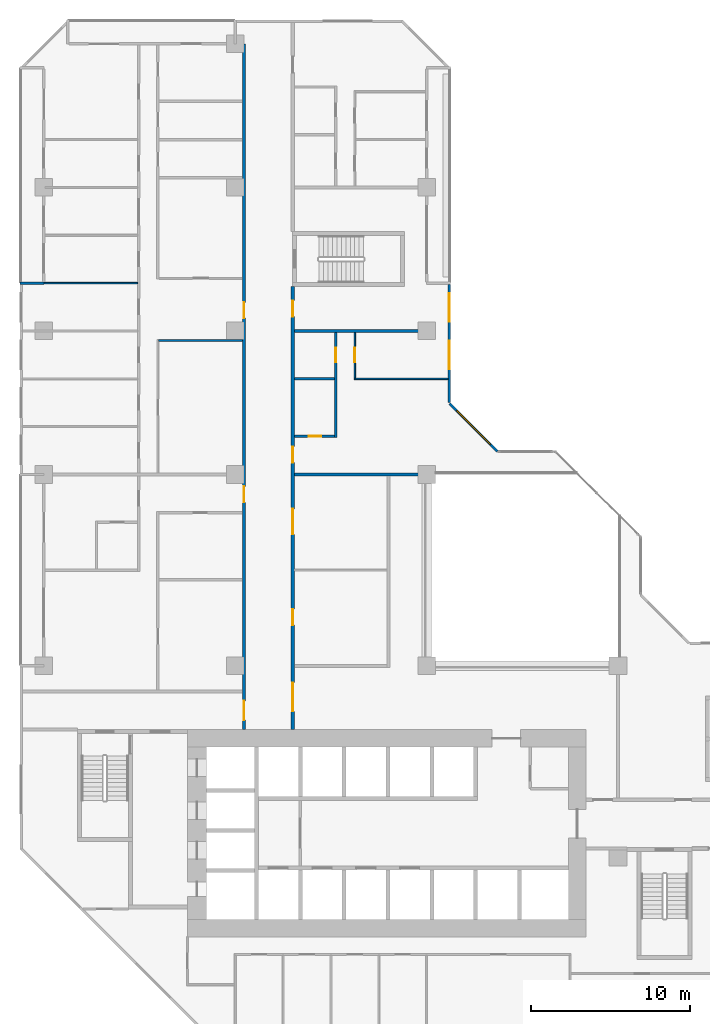
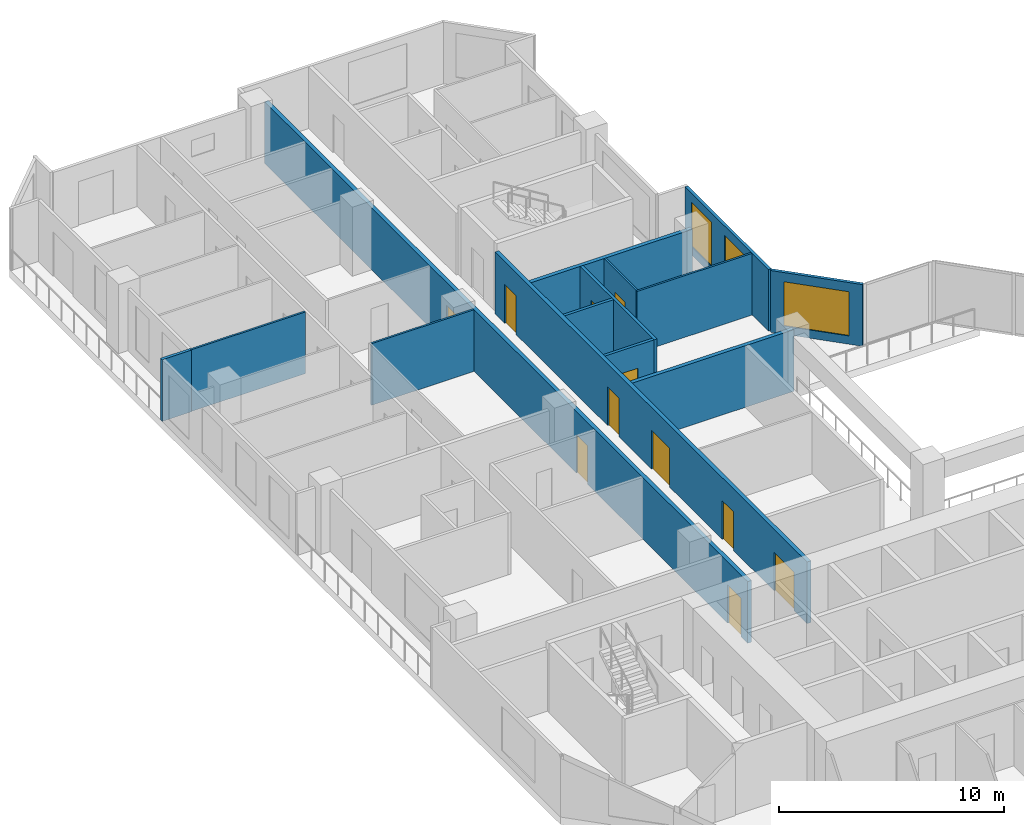
# One storey, part 9 of 15: 14 walls, 11 doors, 3 windows, 14 openings.
"""IFC4 building model written with IfcOpenShell, lengths in metres."""

from ifc_helpers import new_model, si_unit, direction, frame, frame_2d, origin, place, context, subcontext, project, spatial, rectangle, extrude, material, layer, layer_set, type_object, element, fill, save


model = new_model("IFC4")

# Units and contexts
model_context = context("Model", 3, precision=1e-05, world=origin(), true_north=direction((0.0, 1.0)))
body_context = subcontext(model_context, "Body", "Model", "MODEL_VIEW")
ifc_project = project(units=[si_unit("LENGTHUNIT", "METRE"), si_unit("AREAUNIT", "SQUARE_METRE"), si_unit("VOLUMEUNIT", "CUBIC_METRE"), si_unit("PLANEANGLEUNIT", "RADIAN"), si_unit("MASSUNIT", "GRAM", prefix="KILO")], contexts=[model_context])

# Site, building, storey
site_placement = place(None, origin())
site = spatial("IfcSite", under=ifc_project, at=site_placement, CompositionType="ELEMENT")
building_placement = place(site_placement, origin())
building = spatial("IfcBuilding", under=site, at=building_placement, Name="Chenar Terraces", CompositionType="ELEMENT")
storey_placement = place(building_placement, frame((0.0, 0.0, 67.64990234375)))
storey = spatial("IfcBuildingStorey", under=building, at=storey_placement, Name="L14", CompositionType="ELEMENT", Elevation=67.64990234375)

# Wall, openings, doors
ifc_material_1 = material(Name="Gypsum board on steel studs with fire boards", Category="steel")
ifc_layer_1 = layer(ifc_material_1, 0.199951171875)
ifc_layer_set_1 = layer_set([ifc_layer_1], Name="Gypsum board on steel studs with fire boards")
wall_type_1 = type_object("IfcWallType", Name="Corridor wall 200", PredefinedType="PARTITIONING", material=ifc_layer_set_1)
wall_1_placement = place(storey_placement, frame((12.550048828125, 20.0, 0.0), z_axis=(0.0, 0.0, 1.0), x_axis=(0.0, 1.0, 0.0)))
wall_1 = element("IfcWall", 1, at=wall_1_placement, inside=storey, type_object=wall_type_1, Name="Partition L14-031", PredefinedType="PARTITIONING", context=body_context, shape_type="SweptSolid", body=[
    extrude(rectangle(XDim=43.0, YDim=0.199951171875, at=frame_2d((21.5, 0.0))), origin(), (0.0, 0.0, 1.0), 3.35009765625),
])
opening_1_placement = place(wall_1_placement, frame((25.800048828125, 0.0, 0.0)))
opening_1 = element("IfcOpeningElement", 2, at=opening_1_placement, cuts=wall_1, Name="Opening DL14-36", PredefinedType="OPENING", context=body_context, shape_type="SweptSolid", body=[
    extrude(rectangle(XDim=1.0, YDim=2.10009765625, at=frame_2d((0.5, 1.050048828125))), frame((0.0, 0.10986328125, 0.0), z_axis=(0.0, -1.0, 0.0), x_axis=(1.0, 0.0, 0.0)), (0.0, 0.0, 1.0), 0.219970703125),
])
opening_2_placement = place(wall_1_placement, frame((0.60009765625, 0.0, 0.0)))
opening_2 = element("IfcOpeningElement", 3, at=opening_2_placement, cuts=wall_1, Name="Opening DL14-45", PredefinedType="OPENING", context=body_context, shape_type="SweptSolid", body=[
    extrude(rectangle(XDim=1.199951171875, YDim=2.10009765625, at=frame_2d((0.60009765625, 1.050048828125))), frame((0.0, 0.10986328125, 0.0), z_axis=(0.0, -1.0, 0.0), x_axis=(1.0, 0.0, 0.0)), (0.0, 0.0, 1.0), 0.219970703125),
])
opening_3_placement = place(wall_1_placement, frame((14.25, 0.0, 0.0)))
opening_3 = element("IfcOpeningElement", 4, at=opening_3_placement, cuts=wall_1, Name="Opening DL14-68", PredefinedType="OPENING", context=body_context, shape_type="SweptSolid", body=[
    extrude(rectangle(XDim=1.0, YDim=2.10009765625, at=frame_2d((0.5, 1.050048828125))), frame((0.0, 0.10986328125, 0.0), z_axis=(0.0, -1.0, 0.0), x_axis=(1.0, 0.0, 0.0)), (0.0, 0.0, 1.0), 0.219970703125),
])
ifc_material_2 = material(Name="Steel-framed fire-resisting door leaf", Category="steel")
door_type_1 = type_object("IfcDoorType", Name="Fire door FD30S 1000 x 2100", OperationType="SINGLE_SWING_LEFT", PredefinedType="DOOR", material=ifc_material_2)
door_1_placement = place(opening_1_placement, origin())
door_1 = element("IfcDoor", 5, at=door_1_placement, inside=storey, type_object=door_type_1, Name="Door DL14-36", OperationType="SINGLE_SWING_LEFT", OverallHeight=2.10009765625, OverallWidth=1.0, PredefinedType="DOOR", context=body_context, shape_type="SweptSolid", body=[
    extrude(rectangle(XDim=1.0, YDim=2.10009765625, at=frame_2d((0.5, 1.050048828125))), frame((0.0, 0.02490234375, 0.0), z_axis=(0.0, -1.0, 0.0), x_axis=(1.0, 0.0, 0.0)), (0.0, 0.0, 1.0), 0.050048828125),
])
fill(opening_1, door_1)
door_2_placement = place(opening_3_placement, origin())
door_2 = element("IfcDoor", 6, at=door_2_placement, inside=storey, type_object=door_type_1, Name="Door DL14-68", OperationType="SINGLE_SWING_RIGHT", OverallHeight=2.10009765625, OverallWidth=1.0, PredefinedType="DOOR", context=body_context, shape_type="SweptSolid", body=[
    extrude(rectangle(XDim=1.0, YDim=2.10009765625, at=frame_2d((0.5, 1.050048828125))), frame((0.0, 0.02490234375, 0.0), z_axis=(0.0, -1.0, 0.0), x_axis=(1.0, 0.0, 0.0)), (0.0, 0.0, 1.0), 0.050048828125),
])
fill(opening_3, door_2)
ifc_material_3 = material(Name="Steel-framed fire-resisting door leaf", Category="steel")
door_type_2 = type_object("IfcDoorType", Name="Fire door FD30S 1200 x 2100", OperationType="SINGLE_SWING_LEFT", PredefinedType="DOOR", material=ifc_material_3)
door_3_placement = place(opening_2_placement, origin())
door_3 = element("IfcDoor", 7, at=door_3_placement, inside=storey, type_object=door_type_2, Name="Door DL14-45", OperationType="SINGLE_SWING_RIGHT", OverallHeight=2.10009765625, OverallWidth=1.199951171875, PredefinedType="DOOR", context=body_context, shape_type="SweptSolid", body=[
    extrude(rectangle(XDim=1.199951171875, YDim=2.10009765625, at=frame_2d((0.60009765625, 1.050048828125))), frame((0.0, 0.02490234375, 0.0), z_axis=(0.0, -1.0, 0.0), x_axis=(1.0, 0.0, 0.0)), (0.0, 0.0, 1.0), 0.050048828125),
])
fill(opening_2, door_3)

wall_2_placement = place(storey_placement, frame((15.60009765625, 20.0, 0.0), z_axis=(0.0, 0.0, 1.0), x_axis=(0.0, 1.0, 0.0)))
wall_2 = element("IfcWall", 8, at=wall_2_placement, inside=storey, type_object=wall_type_1, Name="Partition L14-033", PredefinedType="PARTITIONING", context=body_context, shape_type="SweptSolid", body=[
    extrude(rectangle(XDim=27.77490234375, YDim=0.199951171875, at=frame_2d((13.887451171875, 0.0))), origin(), (0.0, 0.0, 1.0), 3.35009765625),
])
opening_4_placement = place(wall_2_placement, frame((6.550048828125, 0.0, 0.0)))
opening_4 = element("IfcOpeningElement", 9, at=opening_4_placement, cuts=wall_2, Name="Opening DL14-1", PredefinedType="OPENING", context=body_context, shape_type="SweptSolid", body=[
    extrude(rectangle(XDim=1.0, YDim=2.10009765625, at=frame_2d((0.5, 1.050048828125))), frame((0.0, 0.10986328125, 0.0), z_axis=(0.0, -1.0, 0.0), x_axis=(1.0, 0.0, 0.0)), (0.0, 0.0, 1.0), 0.219970703125),
])
opening_5_placement = place(wall_2_placement, frame((12.25, 0.0, 0.0)))
opening_5 = element("IfcOpeningElement", 10, at=opening_5_placement, cuts=wall_2, Name="Opening DL14-2", PredefinedType="OPENING", context=body_context, shape_type="SweptSolid", body=[
    extrude(rectangle(XDim=1.60009765625, YDim=2.10009765625, at=frame_2d((0.800048828125, 1.050048828125))), frame((0.0, 0.10986328125, 0.0), z_axis=(0.0, -1.0, 0.0), x_axis=(1.0, 0.0, 0.0)), (0.0, 0.0, 1.0), 0.219970703125),
])
opening_6_placement = place(wall_2_placement, frame((16.75, 0.0, 0.0)))
opening_6 = element("IfcOpeningElement", 11, at=opening_6_placement, cuts=wall_2, Name="Opening DL14-23", PredefinedType="OPENING", context=body_context, shape_type="SweptSolid", body=[
    extrude(rectangle(XDim=1.0, YDim=2.10009765625, at=frame_2d((0.5, 1.050048828125))), frame((0.0, 0.10986328125, 0.0), z_axis=(0.0, -1.0, 0.0), x_axis=(1.0, 0.0, 0.0)), (0.0, 0.0, 1.0), 0.219970703125),
])
opening_7_placement = place(wall_2_placement, frame((1.14990234375, 0.0, 0.0)))
opening_7 = element("IfcOpeningElement", 12, at=opening_7_placement, cuts=wall_2, Name="Opening DL14-44", PredefinedType="OPENING", context=body_context, shape_type="SweptSolid", body=[
    extrude(rectangle(XDim=1.800048828125, YDim=2.10009765625, at=frame_2d((0.89990234375, 1.050048828125))), frame((0.0, 0.10986328125, 0.0), z_axis=(0.0, -1.0, 0.0), x_axis=(1.0, 0.0, 0.0)), (0.0, 0.0, 1.0), 0.219970703125),
])
opening_8_placement = place(wall_2_placement, frame((25.89990234375, 0.0, 0.0)))
opening_8 = element("IfcOpeningElement", 13, at=opening_8_placement, cuts=wall_2, Name="Opening DL14-47", PredefinedType="OPENING", context=body_context, shape_type="SweptSolid", body=[
    extrude(rectangle(XDim=1.0, YDim=2.10009765625, at=frame_2d((0.5, 1.050048828125))), frame((0.0, 0.10986328125, 0.0), z_axis=(0.0, -1.0, 0.0), x_axis=(1.0, 0.0, 0.0)), (0.0, 0.0, 1.0), 0.219970703125),
])
ifc_material_4 = material(Name="Steel-framed fire-resisting door leaf", Category="steel")
door_type_3 = type_object("IfcDoorType", Name="Fire door FD60 1000 x 2100", OperationType="SINGLE_SWING_LEFT", PredefinedType="DOOR", material=ifc_material_4)
door_4_placement = place(opening_4_placement, frame((1.0, 0.0, 0.0), z_axis=(0.0, 0.0, 1.0), x_axis=(-1.0, 0.0, 0.0)))
door_4 = element("IfcDoor", 14, at=door_4_placement, inside=storey, type_object=door_type_3, Name="Door DL14-1", OperationType="SINGLE_SWING_LEFT", OverallHeight=2.10009765625, OverallWidth=1.0, PredefinedType="DOOR", context=body_context, shape_type="SweptSolid", body=[
    extrude(rectangle(XDim=1.0, YDim=2.10009765625, at=frame_2d((0.5, 1.050048828125))), frame((0.0, 0.02490234375, 0.0), z_axis=(0.0, -1.0, 0.0), x_axis=(1.0, 0.0, 0.0)), (0.0, 0.0, 1.0), 0.050048828125),
])
fill(opening_4, door_4)
door_5_placement = place(opening_6_placement, frame((1.0, 0.0, 0.0), z_axis=(0.0, 0.0, 1.0), x_axis=(-1.0, 0.0, 0.0)))
door_5 = element("IfcDoor", 15, at=door_5_placement, inside=storey, type_object=door_type_3, Name="Door DL14-23", OperationType="SINGLE_SWING_LEFT", OverallHeight=2.10009765625, OverallWidth=1.0, PredefinedType="DOOR", context=body_context, shape_type="SweptSolid", body=[
    extrude(rectangle(XDim=1.0, YDim=2.10009765625, at=frame_2d((0.5, 1.050048828125))), frame((0.0, 0.02490234375, 0.0), z_axis=(0.0, -1.0, 0.0), x_axis=(1.0, 0.0, 0.0)), (0.0, 0.0, 1.0), 0.050048828125),
])
fill(opening_6, door_5)
door_6_placement = place(opening_8_placement, frame((1.0, 0.0, 0.0), z_axis=(0.0, 0.0, 1.0), x_axis=(-1.0, 0.0, 0.0)))
door_6 = element("IfcDoor", 16, at=door_6_placement, inside=storey, type_object=door_type_3, Name="Door DL14-47", OperationType="SINGLE_SWING_RIGHT", OverallHeight=2.10009765625, OverallWidth=1.0, PredefinedType="DOOR", context=body_context, shape_type="SweptSolid", body=[
    extrude(rectangle(XDim=1.0, YDim=2.10009765625, at=frame_2d((0.5, 1.050048828125))), frame((0.0, 0.02490234375, 0.0), z_axis=(0.0, -1.0, 0.0), x_axis=(1.0, 0.0, 0.0)), (0.0, 0.0, 1.0), 0.050048828125),
])
fill(opening_8, door_6)
ifc_material_5 = material(Name="Steel-framed fire-resisting door leaf", Category="steel")
door_type_4 = type_object("IfcDoorType", Name="Fire double door FD60 1600 x 2100", OperationType="DOUBLE_DOOR_SINGLE_SWING", PredefinedType="DOOR", material=ifc_material_5)
door_7_placement = place(opening_5_placement, frame((1.60009765625, 0.0, 0.0), z_axis=(0.0, 0.0, 1.0), x_axis=(-1.0, 0.0, 0.0)))
door_7 = element("IfcDoor", 17, at=door_7_placement, inside=storey, type_object=door_type_4, Name="Door DL14-2", OperationType="DOUBLE_DOOR_SINGLE_SWING", OverallHeight=2.10009765625, OverallWidth=1.60009765625, PredefinedType="DOOR", context=body_context, shape_type="SweptSolid", body=[
    extrude(rectangle(XDim=1.60009765625, YDim=2.10009765625, at=frame_2d((0.800048828125, 1.050048828125))), frame((0.0, 0.02490234375, 0.0), z_axis=(0.0, -1.0, 0.0), x_axis=(1.0, 0.0, 0.0)), (0.0, 0.0, 1.0), 0.050048828125),
])
fill(opening_5, door_7)
ifc_material_6 = material(Name="Steel-framed fire-resisting door leaf", Category="steel")
door_type_5 = type_object("IfcDoorType", Name="Fire double door FD60 1800 x 2100", OperationType="DOUBLE_DOOR_SINGLE_SWING", PredefinedType="DOOR", material=ifc_material_6)
door_8_placement = place(opening_7_placement, frame((1.800048828125, 0.0, 0.0), z_axis=(0.0, 0.0, 1.0), x_axis=(-1.0, 0.0, 0.0)))
door_8 = element("IfcDoor", 18, at=door_8_placement, inside=storey, type_object=door_type_5, Name="Door DL14-44", OperationType="DOUBLE_DOOR_SINGLE_SWING", OverallHeight=2.10009765625, OverallWidth=1.800048828125, PredefinedType="DOOR", context=body_context, shape_type="SweptSolid", body=[
    extrude(rectangle(XDim=1.800048828125, YDim=2.10009765625, at=frame_2d((0.89990234375, 1.050048828125))), frame((0.0, 0.02490234375, 0.0), z_axis=(0.0, -1.0, 0.0), x_axis=(1.0, 0.0, 0.0)), (0.0, 0.0, 1.0), 0.050048828125),
])
fill(opening_7, door_8)

# Wall, openings, windows
ifc_material_7 = material(Name="Aluminium framed glazing", Category="aluminium")
ifc_layer_2 = layer(ifc_material_7, 0.14990234375)
ifc_layer_set_2 = layer_set([ifc_layer_2], Name="Aluminium framed glazing")
wall_type_2 = type_object("IfcWallType", Name="Glazed flush facade wall 150", PredefinedType="SOLIDWALL", material=ifc_layer_set_2)
wall_3_placement = place(storey_placement, frame((25.425048828125, 40.5, 0.0), z_axis=(0.0, 0.0, 1.0), x_axis=(0.0, 1.0, 0.0)))
wall_3 = element("IfcWall", 19, at=wall_3_placement, inside=storey, type_object=wall_type_2, Name="Glazed flush facade wall", PredefinedType="SOLIDWALL", context=body_context, shape_type="SweptSolid", body=[
    extrude(rectangle(XDim=7.425048828125, YDim=0.14990234375, at=frame_2d((3.71240234375, 0.0))), origin(), (0.0, 0.0, 1.0), 3.35009765625),
])
opening_9_placement = place(wall_3_placement, frame((2.10009765625, 0.0, 0.449951171875)))
opening_9 = element("IfcOpeningElement", 20, at=opening_9_placement, cuts=wall_3, Name="Opening W180x240", PredefinedType="OPENING", context=body_context, shape_type="SweptSolid", body=[
    extrude(rectangle(XDim=1.800048828125, YDim=2.39990234375, at=frame_2d((0.89990234375, 1.199951171875))), frame((0.0, 0.0849609375, 0.0), z_axis=(0.0, -1.0, 0.0), x_axis=(1.0, 0.0, 0.0)), (0.0, 0.0, 1.0), 0.169921875),
])
opening_10_placement = place(wall_3_placement, frame((5.0625, 0.0, 0.449951171875)))
opening_10 = element("IfcOpeningElement", 21, at=opening_10_placement, cuts=wall_3, Name="Opening W180x240", PredefinedType="OPENING", context=body_context, shape_type="SweptSolid", body=[
    extrude(rectangle(XDim=1.800048828125, YDim=2.39990234375, at=frame_2d((0.89990234375, 1.199951171875))), frame((0.0, 0.0849609375, 0.0), z_axis=(0.0, -1.0, 0.0), x_axis=(1.0, 0.0, 0.0)), (0.0, 0.0, 1.0), 0.169921875),
])
ifc_material_8 = material(Name="Low emissivity double glazing, aluminium frame", Category="aluminium")
window_type_1 = type_object("IfcWindowType", Name="Fixed light 1800 x 2400", PartitioningType="SINGLE_PANEL", PredefinedType="WINDOW", material=ifc_material_8)
window_1_placement = place(opening_9_placement, origin())
window_1 = element("IfcWindow", 22, at=window_1_placement, inside=storey, type_object=window_type_1, Name="Window", OverallHeight=2.39990234375, OverallWidth=1.800048828125, PartitioningType="SINGLE_PANEL", PredefinedType="WINDOW", context=body_context, shape_type="SweptSolid", body=[
    extrude(rectangle(XDim=1.800048828125, YDim=2.39990234375, at=frame_2d((0.89990234375, 1.199951171875))), frame((0.0, 0.030029296875, 0.0), z_axis=(0.0, -1.0, 0.0), x_axis=(1.0, 0.0, 0.0)), (0.0, 0.0, 1.0), 0.06005859375),
])
fill(opening_9, window_1)
window_2_placement = place(opening_10_placement, origin())
window_2 = element("IfcWindow", 23, at=window_2_placement, inside=storey, type_object=window_type_1, Name="Window", OverallHeight=2.39990234375, OverallWidth=1.800048828125, PartitioningType="SINGLE_PANEL", PredefinedType="WINDOW", context=body_context, shape_type="SweptSolid", body=[
    extrude(rectangle(XDim=1.800048828125, YDim=2.39990234375, at=frame_2d((0.89990234375, 1.199951171875))), frame((0.0, 0.030029296875, 0.0), z_axis=(0.0, -1.0, 0.0), x_axis=(1.0, 0.0, 0.0)), (0.0, 0.0, 1.0), 0.06005859375),
])
fill(opening_10, window_2)

# Walls
ifc_material_9 = material(Name="Gypsum board on steel studs", Category="steel")
ifc_layer_3 = layer(ifc_material_9, 0.10009765625)
ifc_layer_set_3 = layer_set([ifc_layer_3], Name="Gypsum board on steel studs")
wall_type_3 = type_object("IfcWallType", Name="Gypsum partition 100", PredefinedType="PARTITIONING", material=ifc_layer_set_3)
wall_4_placement = place(storey_placement, frame((0.0, 48.0, 0.0), z_axis=(0.0, 0.0, 1.0), x_axis=(1.0, 0.0, 0.0)))
element("IfcWall", 24, at=wall_4_placement, inside=storey, type_object=wall_type_3, Name="Partition L14-007", PredefinedType="PARTITIONING", context=body_context, shape_type="SweptSolid", body=[
    extrude(rectangle(XDim=5.875, YDim=0.10009765625, at=frame_2d((2.9375, 0.0))), origin(), (0.0, 0.0, 1.0), 3.35009765625),
])
wall_5_placement = place(storey_placement, frame((7.199951171875, 44.39990234375, 0.0), z_axis=(0.0, 0.0, 1.0), x_axis=(1.0, 0.0, 0.0)))
element("IfcWall", 25, at=wall_5_placement, inside=storey, type_object=wall_type_3, Name="Partition L14-020", PredefinedType="PARTITIONING", context=body_context, shape_type="SweptSolid", body=[
    extrude(rectangle(XDim=5.25, YDim=0.10009765625, at=frame_2d((2.625, 0.0))), origin(), (0.0, 0.0, 1.0), 3.35009765625),
])
wall_6_placement = place(storey_placement, frame((19.449951171875, 42.0, 0.0), z_axis=(0.0, 0.0, 1.0), x_axis=(1.0, 0.0, 0.0)))
element("IfcWall", 26, at=wall_6_placement, inside=storey, type_object=wall_type_3, Name="Partition L14-047", PredefinedType="PARTITIONING", context=body_context, shape_type="SweptSolid", body=[
    extrude(rectangle(XDim=5.900146484375, YDim=0.10009765625, at=frame_2d((2.9501953125, 0.0))), origin(), (0.0, 0.0, 1.0), 3.35009765625),
])

# Wall, opening, door
wall_7_placement = place(storey_placement, frame((19.5, 42.050048828125, 0.0), z_axis=(0.0, 0.0, 1.0), x_axis=(0.0, 1.0, 0.0)))
wall_7 = element("IfcWall", 27, at=wall_7_placement, inside=storey, type_object=wall_type_3, Name="Partition L14-048", PredefinedType="PARTITIONING", context=body_context, shape_type="SweptSolid", body=[
    extrude(rectangle(XDim=2.849853515625, YDim=0.10009765625, at=frame_2d((1.4248046875, 0.0))), origin(), (0.0, 0.0, 1.0), 3.35009765625),
])
opening_11_placement = place(wall_7_placement, frame((1.0, 0.0, 0.0)))
opening_11 = element("IfcOpeningElement", 28, at=opening_11_placement, cuts=wall_7, Name="Opening DL14-21", PredefinedType="OPENING", context=body_context, shape_type="SweptSolid", body=[
    extrude(rectangle(XDim=0.89990234375, YDim=2.10009765625, at=frame_2d((0.449951171875, 1.050048828125))), frame((0.0, 0.06005859375, 0.0), z_axis=(0.0, -1.0, 0.0), x_axis=(1.0, 0.0, 0.0)), (0.0, 0.0, 1.0), 0.1201171875),
])
ifc_material_10 = material(Name="Veneered timber door leaf", Category="wood")
door_type_6 = type_object("IfcDoorType", Name="Door 900 x 2100", OperationType="SINGLE_SWING_LEFT", PredefinedType="DOOR", material=ifc_material_10)
door_9_placement = place(opening_11_placement, frame((0.89990234375, 0.0, 0.0), z_axis=(0.0, 0.0, 1.0), x_axis=(-1.0, 0.0, 0.0)))
door_9 = element("IfcDoor", 29, at=door_9_placement, inside=storey, type_object=door_type_6, Name="Door DL14-21", OperationType="SINGLE_SWING_LEFT", OverallHeight=2.10009765625, OverallWidth=0.89990234375, PredefinedType="DOOR", context=body_context, shape_type="SweptSolid", body=[
    extrude(rectangle(XDim=0.89990234375, YDim=2.10009765625, at=frame_2d((0.449951171875, 1.050048828125))), frame((0.0, 0.02490234375, 0.0), z_axis=(0.0, -1.0, 0.0), x_axis=(1.0, 0.0, 0.0)), (0.0, 0.0, 1.0), 0.050048828125),
])
fill(opening_11, door_9)

# Wall
ifc_material_11 = material(Name="Terracotta cladding on insulated backing", Category="masonry")
ifc_layer_4 = layer(ifc_material_11, 0.14990234375)
ifc_layer_set_4 = layer_set([ifc_layer_4], Name="Terracotta cladding on insulated backing")
wall_type_4 = type_object("IfcWallType", Name="Loggia return wall 150", PredefinedType="SOLIDWALL", material=ifc_layer_set_4)
wall_8_placement = place(storey_placement, frame((-1.5, 48.0, 0.0), z_axis=(0.0, 0.0, 1.0), x_axis=(1.0, 0.0, 0.0)))
element("IfcWall", 30, at=wall_8_placement, inside=storey, type_object=wall_type_4, Name="Loggia return wall", PredefinedType="SOLIDWALL", context=body_context, shape_type="SweptSolid", body=[
    extrude(rectangle(XDim=1.5, YDim=0.14990234375, at=frame_2d((0.75, 0.0))), origin(), (0.0, 0.0, 1.0), 3.35009765625),
])

# Wall, opening, window
ifc_material_12 = material(Name="Terracotta cladding on insulated backing", Category="masonry")
ifc_layer_5 = layer(ifc_material_12, 0.14990234375)
ifc_layer_set_5 = layer_set([ifc_layer_5], Name="Terracotta cladding on insulated backing")
wall_type_5 = type_object("IfcWallType", Name="Terracotta rainscreen wall 150", PredefinedType="SOLIDWALL", material=ifc_layer_set_5)
wall_9_placement = place(storey_placement, frame((28.447021484375, 37.447021484375, 0.0), z_axis=(0.0, 0.0, 1.0), x_axis=(-0.707106781187, 0.707106781187, 0.0)))
wall_9 = element("IfcWall", 31, at=wall_9_placement, inside=storey, type_object=wall_type_5, Name="Terracotta rainscreen wall", PredefinedType="SOLIDWALL", context=body_context, shape_type="SweptSolid", body=[
    extrude(rectangle(XDim=4.24267578125, YDim=0.14990234375, at=frame_2d((2.121337890625, 0.0))), origin(), (0.0, 0.0, 1.0), 3.35009765625),
])
opening_12_placement = place(wall_9_placement, frame((0.621337890625, 0.0, 0.449951171875)))
opening_12 = element("IfcOpeningElement", 32, at=opening_12_placement, cuts=wall_9, Name="Opening W300x240", PredefinedType="OPENING", context=body_context, shape_type="SweptSolid", body=[
    extrude(rectangle(XDim=3.0, YDim=2.39990234375, at=frame_2d((1.5, 1.199951171875))), frame((0.0, 0.0849609375, 0.0), z_axis=(0.0, -1.0, 0.0), x_axis=(1.0, 0.0, 0.0)), (0.0, 0.0, 1.0), 0.169921875),
])
ifc_material_13 = material(Name="Low emissivity double glazing, aluminium frame", Category="aluminium")
window_type_2 = type_object("IfcWindowType", Name="Fixed light 3000 x 2400", PartitioningType="SINGLE_PANEL", PredefinedType="WINDOW", material=ifc_material_13)
window_3_placement = place(opening_12_placement, origin())
window_3 = element("IfcWindow", 33, at=window_3_placement, inside=storey, type_object=window_type_2, Name="Window", OverallHeight=2.39990234375, OverallWidth=3.0, PartitioningType="SINGLE_PANEL", PredefinedType="WINDOW", context=body_context, shape_type="SweptSolid", body=[
    extrude(rectangle(XDim=3.0, YDim=2.39990234375, at=frame_2d((1.5, 1.199951171875))), frame((0.0, 0.030029296875, 0.0), z_axis=(0.0, -1.0, 0.0), x_axis=(1.0, 0.0, 0.0)), (0.0, 0.0, 1.0), 0.06005859375),
])
fill(opening_12, window_3)

# Walls
ifc_material_14 = material(Name="Twin gypsum board on steel studs with mineral wool", Category="steel")
ifc_layer_6 = layer(ifc_material_14, 0.199951171875)
ifc_layer_set_6 = layer_set([ifc_layer_6], Name="Twin gypsum board on steel studs with mineral wool")
wall_type_6 = type_object("IfcWallType", Name="Unit demising wall 200", PredefinedType="PARTITIONING", material=ifc_layer_set_6)
for number, where, z_axis, x_axis, name in (
    (34, (15.699951171875, 36.0, 0.0), (0.0, 0.0, 1.0), (1.0, 0.0, 0.0), "Partition L14-037"),
    (35, (15.699951171875, 45.0, 0.0), (0.0, 0.0, 1.0), (1.0, 0.0, 0.0), "Partition L14-040"),
):
    element("IfcWall", number, at=place(storey_placement, frame(where, z_axis=z_axis, x_axis=x_axis)), inside=storey, type_object=wall_type_6, Name=name, PredefinedType="PARTITIONING", context=body_context, shape_type="SweptSolid", body=[
        extrude(rectangle(XDim=8.300048828125, YDim=0.199951171875, at=frame_2d((4.14990234375, 0.0))), origin(), (0.0, 0.0, 1.0), 3.35009765625),
    ])

# Wall, opening, door
ifc_material_15 = material(Name="Moisture-resistant gypsum board on steel studs", Category="steel")
ifc_layer_7 = layer(ifc_material_15, 0.14990234375)
ifc_layer_set_7 = layer_set([ifc_layer_7], Name="Moisture-resistant gypsum board on steel studs")
wall_type_7 = type_object("IfcWallType", Name="Wet-room partition 150", PredefinedType="PARTITIONING", material=ifc_layer_set_7)
wall_10_placement = place(storey_placement, frame((15.699951171875, 38.39990234375, 0.0), z_axis=(0.0, 0.0, 1.0), x_axis=(1.0, 0.0, 0.0)))
wall_10 = element("IfcWall", 36, at=wall_10_placement, inside=storey, type_object=wall_type_7, Name="Partition L14-038", PredefinedType="PARTITIONING", context=body_context, shape_type="SweptSolid", body=[
    extrude(rectangle(XDim=2.525146484375, YDim=0.14990234375, at=frame_2d((1.2626953125, 0.0))), origin(), (0.0, 0.0, 1.0), 3.35009765625),
])
opening_13_placement = place(wall_10_placement, frame((0.89990234375, 0.0, 0.0)))
opening_13 = element("IfcOpeningElement", 37, at=opening_13_placement, cuts=wall_10, Name="Opening DL14-20", PredefinedType="OPENING", context=body_context, shape_type="SweptSolid", body=[
    extrude(rectangle(XDim=0.800048828125, YDim=2.10009765625, at=frame_2d((0.39990234375, 1.050048828125))), frame((0.0, 0.0849609375, 0.0), z_axis=(0.0, -1.0, 0.0), x_axis=(1.0, 0.0, 0.0)), (0.0, 0.0, 1.0), 0.169921875),
])
ifc_material_16 = material(Name="Veneered timber door leaf", Category="wood")
door_type_7 = type_object("IfcDoorType", Name="Door 800 x 2100", OperationType="SINGLE_SWING_LEFT", PredefinedType="DOOR", material=ifc_material_16)
door_10_placement = place(opening_13_placement, origin())
door_10 = element("IfcDoor", 38, at=door_10_placement, inside=storey, type_object=door_type_7, Name="Door DL14-20", OperationType="SINGLE_SWING_RIGHT", OverallHeight=2.10009765625, OverallWidth=0.800048828125, PredefinedType="DOOR", context=body_context, shape_type="SweptSolid", body=[
    extrude(rectangle(XDim=0.800048828125, YDim=2.10009765625, at=frame_2d((0.39990234375, 1.050048828125))), frame((0.0, 0.02490234375, 0.0), z_axis=(0.0, -1.0, 0.0), x_axis=(1.0, 0.0, 0.0)), (0.0, 0.0, 1.0), 0.050048828125),
])
fill(opening_13, door_10)

# Wall
wall_11_placement = place(storey_placement, frame((15.699951171875, 42.0, 0.0), z_axis=(0.0, 0.0, 1.0), x_axis=(1.0, 0.0, 0.0)))
element("IfcWall", 39, at=wall_11_placement, inside=storey, type_object=wall_type_7, Name="Partition L14-039", PredefinedType="PARTITIONING", context=body_context, shape_type="SweptSolid", body=[
    extrude(rectangle(XDim=2.525146484375, YDim=0.14990234375, at=frame_2d((1.2626953125, 0.0))), origin(), (0.0, 0.0, 1.0), 3.35009765625),
])

# Wall, opening, door
wall_12_placement = place(storey_placement, frame((18.300048828125, 38.324951171875, 0.0), z_axis=(0.0, 0.0, 1.0), x_axis=(0.0, 1.0, 0.0)))
wall_12 = element("IfcWall", 40, at=wall_12_placement, inside=storey, type_object=wall_type_7, Name="Partition L14-045", PredefinedType="PARTITIONING", context=body_context, shape_type="SweptSolid", body=[
    extrude(rectangle(XDim=6.574951171875, YDim=0.14990234375, at=frame_2d((3.28759765625, 0.0))), origin(), (0.0, 0.0, 1.0), 3.35009765625),
])
opening_14_placement = place(wall_12_placement, frame((4.72509765625, 0.0, 0.0)))
opening_14 = element("IfcOpeningElement", 41, at=opening_14_placement, cuts=wall_12, Name="Opening DL14-22", PredefinedType="OPENING", context=body_context, shape_type="SweptSolid", body=[
    extrude(rectangle(XDim=0.89990234375, YDim=2.10009765625, at=frame_2d((0.449951171875, 1.050048828125))), frame((0.0, 0.0849609375, 0.0), z_axis=(0.0, -1.0, 0.0), x_axis=(1.0, 0.0, 0.0)), (0.0, 0.0, 1.0), 0.169921875),
])
door_11_placement = place(opening_14_placement, origin())
door_11 = element("IfcDoor", 42, at=door_11_placement, inside=storey, type_object=door_type_6, Name="Door DL14-22", OperationType="SINGLE_SWING_LEFT", OverallHeight=2.10009765625, OverallWidth=0.89990234375, PredefinedType="DOOR", context=body_context, shape_type="SweptSolid", body=[
    extrude(rectangle(XDim=0.89990234375, YDim=2.10009765625, at=frame_2d((0.449951171875, 1.050048828125))), frame((0.0, 0.02490234375, 0.0), z_axis=(0.0, -1.0, 0.0), x_axis=(1.0, 0.0, 0.0)), (0.0, 0.0, 1.0), 0.050048828125),
])
fill(opening_14, door_11)

save(model, "model.ifc")
